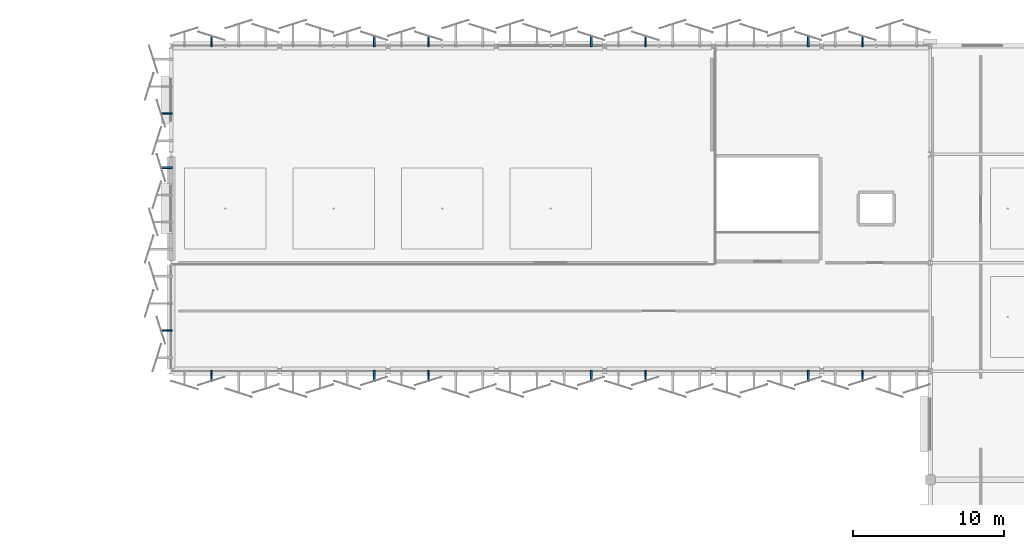
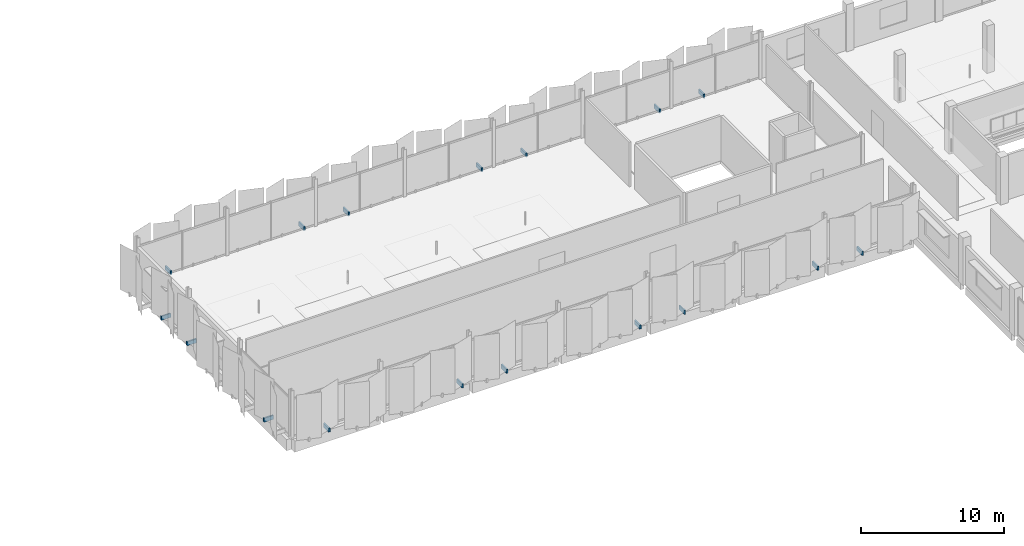
# One storey, part 74 of 77: 17 discrete accessories.
"""IFC4 building model written with IfcOpenShell, lengths in metres."""

from ifc_helpers import new_model, si_unit, direction, frame, origin, origin_2d, place, context, subcontext, project, spatial, rectangle, extrude, material, type_object, element, save


model = new_model("IFC4")

# Units and contexts
model_context = context("Model", 3, precision=1e-05, world=origin(), true_north=direction((0.0, 1.0)))
body_context = subcontext(model_context, "Body", "Model", "MODEL_VIEW")
ifc_project = project(units=[si_unit("LENGTHUNIT", "METRE"), si_unit("AREAUNIT", "SQUARE_METRE"), si_unit("VOLUMEUNIT", "CUBIC_METRE"), si_unit("PLANEANGLEUNIT", "RADIAN"), si_unit("MASSUNIT", "GRAM", prefix="KILO")], contexts=[model_context])

# Site, building, storey
site_placement = place(None, origin())
site = spatial("IfcSite", under=ifc_project, at=site_placement, CompositionType="ELEMENT")
building_placement = place(site_placement, origin())
building = spatial("IfcBuilding", under=site, at=building_placement, Name="Kangsadwip Square Police Headquarters", CompositionType="ELEMENT")
storey_placement = place(building_placement, frame((0.0, 0.0, 17.550048828125)))
storey = spatial("IfcBuildingStorey", under=building, at=storey_placement, Name="L04", CompositionType="ELEMENT", Elevation=17.550048828125)

# Discrete accessories
ifc_material = material(Name="Structural steel IS 2062 E350 (Grade 350, 350 MPa)", Category="steel")
discrete_accessory_type = type_object("IfcDiscreteAccessoryType", Name="VeilOutriggerBracket", PredefinedType="BRACKET", material=ifc_material)
for number, where, z_axis, x_axis, name in (
    (1, (96.300048828125, 115.502685546875, -0.10986328125), (0.0, 0.0, 1.0), (1.0, 0.0, 0.0), "Veil Outrigger Bracket VBK-L04-0142"),
    (2, (107.10009765625, 115.502685546875, -0.10986328125), (0.0, 0.0, 1.0), (1.0, 0.0, 0.0), "Veil Outrigger Bracket VBK-L04-0148"),
    (3, (110.699951171875, 115.502685546875, -0.10986328125), (0.0, 0.0, 1.0), (1.0, 0.0, 0.0), "Veil Outrigger Bracket VBK-L04-0150"),
    (4, (121.5, 115.502685546875, -0.10986328125), (0.0, 0.0, 1.0), (1.0, 0.0, 0.0), "Veil Outrigger Bracket VBK-L04-0156"),
    (5, (125.10009765625, 115.502685546875, -0.10986328125), (0.0, 0.0, 1.0), (1.0, 0.0, 0.0), "Veil Outrigger Bracket VBK-L04-0158"),
    (6, (135.89990234375, 115.502685546875, -0.10986328125), (0.0, 0.0, 1.0), (1.0, 0.0, 0.0), "Veil Outrigger Bracket VBK-L04-0164"),
    (7, (139.5, 115.502685546875, -0.10986328125), (0.0, 0.0, 1.0), (1.0, 0.0, 0.0), "Veil Outrigger Bracket VBK-L04-0166"),
    (8, (96.300048828125, 93.29736328125, -0.10986328125), (0.0, 0.0, 1.0), (1.0, 0.0, 0.0), "Veil Outrigger Bracket VBK-L04-0338"),
    (9, (107.10009765625, 93.29736328125, -0.10986328125), (0.0, 0.0, 1.0), (1.0, 0.0, 0.0), "Veil Outrigger Bracket VBK-L04-0344"),
    (10, (110.699951171875, 93.29736328125, -0.10986328125), (0.0, 0.0, 1.0), (1.0, 0.0, 0.0), "Veil Outrigger Bracket VBK-L04-0346"),
    (11, (121.5, 93.29736328125, -0.10986328125), (0.0, 0.0, 1.0), (1.0, 0.0, 0.0), "Veil Outrigger Bracket VBK-L04-0352"),
    (12, (125.10009765625, 93.29736328125, -0.10986328125), (0.0, 0.0, 1.0), (1.0, 0.0, 0.0), "Veil Outrigger Bracket VBK-L04-0354"),
    (13, (135.89990234375, 93.29736328125, -0.10986328125), (0.0, 0.0, 1.0), (1.0, 0.0, 0.0), "Veil Outrigger Bracket VBK-L04-0360"),
    (14, (139.5, 93.29736328125, -0.10986328125), (0.0, 0.0, 1.0), (1.0, 0.0, 0.0), "Veil Outrigger Bracket VBK-L04-0362"),
):
    element("IfcDiscreteAccessory", number, at=place(storey_placement, frame(where, z_axis=z_axis, x_axis=x_axis)), inside=storey, type_object=discrete_accessory_type, Name=name, PredefinedType="BRACKET", context=body_context, shape_type="SweptSolid", body=[
        extrude(rectangle(XDim=0.1201171875, YDim=0.765380859375, at=origin_2d()), origin(), (0.0, 0.0, 1.0), 0.340087890625),
    ])
for number, where, z_axis, x_axis, name in (
    (15, (93.29736328125, 96.300048828125, -0.10986328125), (0.0, 0.0, 1.0), (1.0, 0.0, 0.0), "Veil Outrigger Bracket VBK-L04-0394"),
    (16, (93.29736328125, 107.10009765625, -0.10986328125), (0.0, 0.0, 1.0), (1.0, 0.0, 0.0), "Veil Outrigger Bracket VBK-L04-0400"),
    (17, (93.29736328125, 110.699951171875, -0.10986328125), (0.0, 0.0, 1.0), (1.0, 0.0, 0.0), "Veil Outrigger Bracket VBK-L04-0402"),
):
    element("IfcDiscreteAccessory", number, at=place(storey_placement, frame(where, z_axis=z_axis, x_axis=x_axis)), inside=storey, type_object=discrete_accessory_type, Name=name, PredefinedType="BRACKET", context=body_context, shape_type="SweptSolid", body=[
        extrude(rectangle(XDim=0.765380859375, YDim=0.1201171875, at=origin_2d()), origin(), (0.0, 0.0, 1.0), 0.340087890625),
    ])

save(model, "model.ifc")
